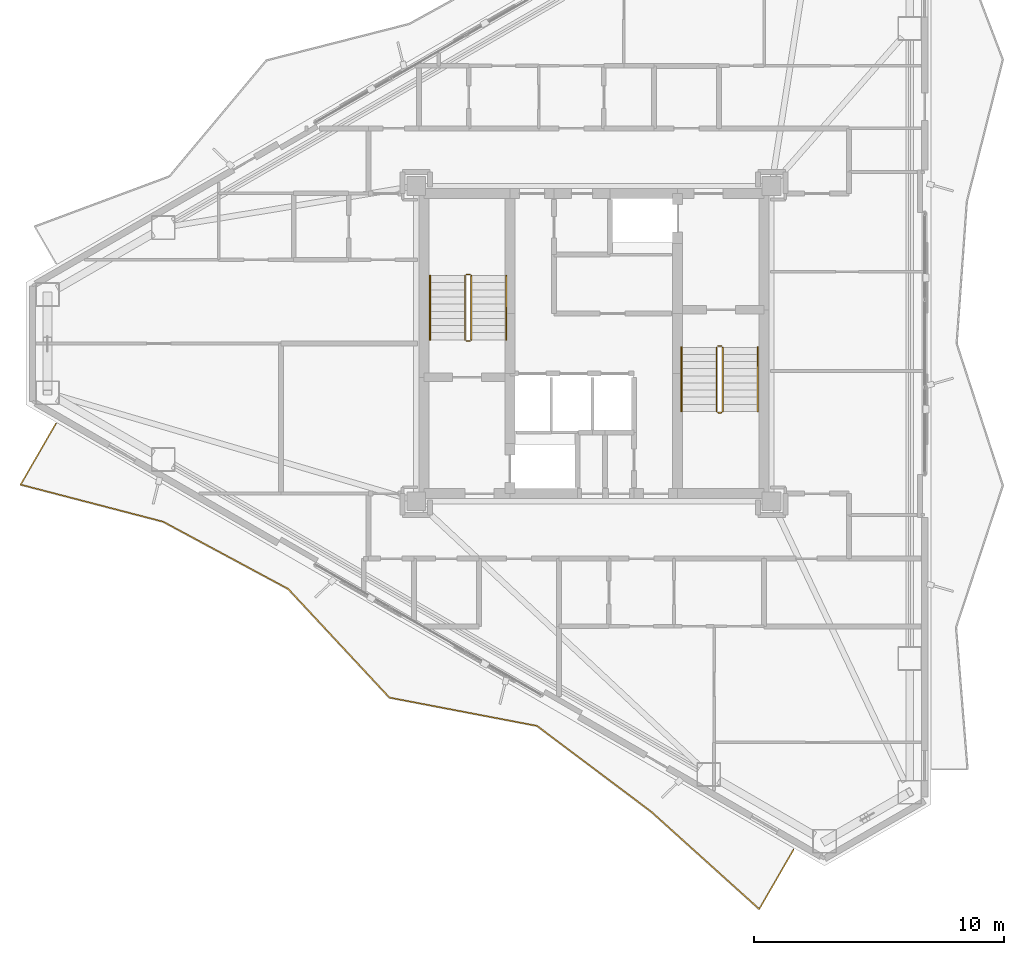
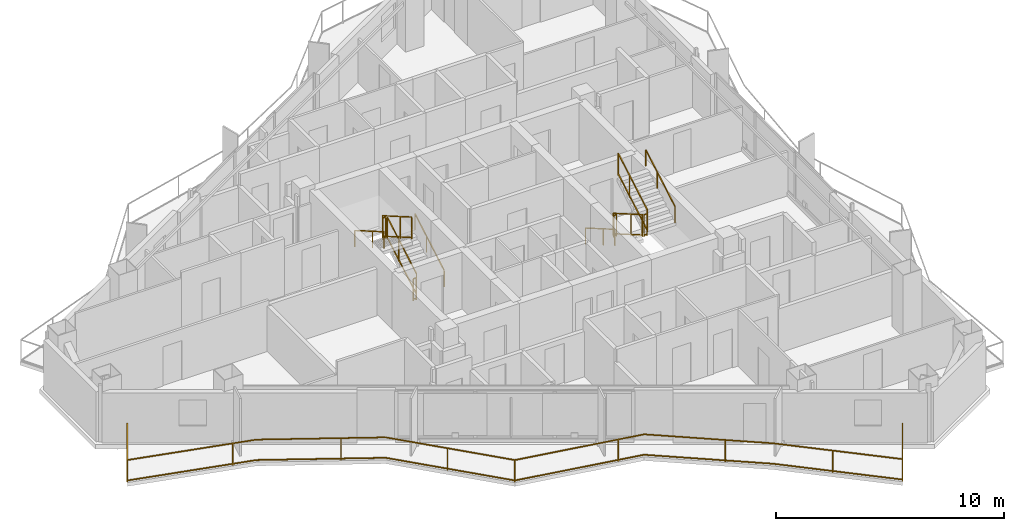
# One storey, part 18 of 19: 13 railings.
"""IFC4 building model written with IfcOpenShell, lengths in metres."""

from ifc_helpers import new_model, si_unit, direction, frame, origin, origin_2d, place, context, subcontext, project, spatial, rectangle, extrude, material, type_object, element, save


model = new_model("IFC4")

# Units and contexts
model_context = context("Model", 3, precision=1e-05, world=origin(), true_north=direction((0.0, 1.0)))
body_context = subcontext(model_context, "Body", "Model", "MODEL_VIEW")
ifc_project = project(units=[si_unit("LENGTHUNIT", "METRE"), si_unit("AREAUNIT", "SQUARE_METRE"), si_unit("VOLUMEUNIT", "CUBIC_METRE"), si_unit("PLANEANGLEUNIT", "RADIAN"), si_unit("MASSUNIT", "GRAM", prefix="KILO")], contexts=[model_context])

# Site, building, storey
site_placement = place(None, origin())
site = spatial("IfcSite", under=ifc_project, at=site_placement, CompositionType="ELEMENT")
building_placement = place(site_placement, origin())
building = spatial("IfcBuilding", under=site, at=building_placement, Name="Mersakhor Tower and Convention Hall", CompositionType="ELEMENT")
storey_placement = place(building_placement, frame((0.0, 0.0, 131.10009765625)))
storey = spatial("IfcBuildingStorey", under=building, at=storey_placement, Name="L36", CompositionType="ELEMENT", Elevation=131.10009765625)

# Railings
ifc_material_1 = material(Name="Powder-coated galvanised steel and laminated glass balustrade", Category="steel")
railing_type_1 = type_object("IfcRailingType", Name="RL-BAL-1200", PredefinedType="BALUSTRADE", material=ifc_material_1)
railing_1_placement = place(storey_placement, frame((7.497802734375, 23.5537109375, 0.0)))
element("IfcRailing", 1, at=railing_1_placement, inside=storey, type_object=railing_type_1, Name="L36 Sinusoidal Balcony Balustrade F3", PredefinedType="BALUSTRADE", context=body_context, shape_type="SweptSolid", body=[
    extrude(rectangle(XDim=0.048095703125, YDim=0.048095703125, at=origin_2d()), frame((0.0, 0.0, 1.17578125), z_axis=(-0.500049687543, -0.865996714767, 0.0), x_axis=(0.865996714767, -0.500049687543, 0.0)), (0.0, 0.0, 1.0), 2.820068359375),
    extrude(rectangle(XDim=0.048095703125, YDim=0.048095703125, at=origin_2d()), frame((0.0, 0.0, 0.080078125), z_axis=(-0.500049687543, -0.865996714767, 0.0), x_axis=(0.865996714767, -0.500049687543, 0.0)), (0.0, 0.0, 1.0), 2.820068359375),
    extrude(rectangle(XDim=0.048095703125, YDim=0.048095703125, at=origin_2d()), frame((-1.41015625, -2.442138671875, 1.17578125), z_axis=(0.967826142807, -0.251619866661, 0.0), x_axis=(0.251619866661, 0.967826142807, 0.0)), (0.0, 0.0, 1.0), 5.88671875),
    extrude(rectangle(XDim=0.048095703125, YDim=0.048095703125, at=origin_2d()), frame((-1.41015625, -2.442138671875, 0.080078125), z_axis=(0.967826142807, -0.251619866661, 0.0), x_axis=(0.251619866661, 0.967826142807, 0.0)), (0.0, 0.0, 1.0), 5.88671875),
    extrude(rectangle(XDim=0.048095703125, YDim=0.048095703125, at=origin_2d()), frame((4.287109375, -3.92333984375, 1.17578125), z_axis=(0.880780231077, -0.473525273394, 0.0), x_axis=(0.473525273394, 0.880780231077, 0.0)), (0.0, 0.0, 1.0), 5.677001953125),
    extrude(rectangle(XDim=0.048095703125, YDim=0.048095703125, at=origin_2d()), frame((4.287109375, -3.92333984375, 0.080078125), z_axis=(0.880780231077, -0.473525273394, 0.0), x_axis=(0.473525273394, 0.880780231077, 0.0)), (0.0, 0.0, 1.0), 5.677001953125),
    extrude(rectangle(XDim=0.048095703125, YDim=0.048095703125, at=origin_2d()), frame((9.287353515625, -6.611572265625, 1.17578125), z_axis=(0.681630508805, -0.731696555592, 0.0), x_axis=(0.731696555592, 0.681630508805, 0.0)), (0.0, 0.0, 1.0), 5.9345703125),
    extrude(rectangle(XDim=0.048095703125, YDim=0.048095703125, at=origin_2d()), frame((9.287353515625, -6.611572265625, 0.080078125), z_axis=(0.681630508805, -0.731696555592, 0.0), x_axis=(0.731696555592, 0.681630508805, 0.0)), (0.0, 0.0, 1.0), 5.9345703125),
    extrude(rectangle(XDim=0.048095703125, YDim=0.048095703125, at=origin_2d()), frame((13.33251953125, -10.953857421875, 1.17578125), z_axis=(0.982118753719, -0.188262459329, 0.0), x_axis=(0.188262459329, 0.982118753719, 0.0)), (0.0, 0.0, 1.0), 6.0068359375),
    extrude(rectangle(XDim=0.048095703125, YDim=0.048095703125, at=origin_2d()), frame((13.33251953125, -10.953857421875, 0.080078125), z_axis=(0.982118753719, -0.188262459329, 0.0), x_axis=(0.188262459329, 0.982118753719, 0.0)), (0.0, 0.0, 1.0), 6.0068359375),
    extrude(rectangle(XDim=0.048095703125, YDim=0.048095703125, at=origin_2d()), frame((19.23193359375, -12.084716796875, 1.17578125), z_axis=(0.799476905568, -0.600696826579, 0.0), x_axis=(0.600696826579, 0.799476905568, 0.0)), (0.0, 0.0, 1.0), 5.716064453125),
    extrude(rectangle(XDim=0.048095703125, YDim=0.048095703125, at=origin_2d()), frame((19.23193359375, -12.084716796875, 0.080078125), z_axis=(0.799476905568, -0.600696826579, 0.0), x_axis=(0.600696826579, 0.799476905568, 0.0)), (0.0, 0.0, 1.0), 5.716064453125),
    extrude(rectangle(XDim=0.048095703125, YDim=0.048095703125, at=origin_2d()), frame((23.8017578125, -15.518310546875, 1.17578125), z_axis=(0.742766657644, -0.669550365762, 0.0), x_axis=(0.669550365762, 0.742766657644, 0.0)), (0.0, 0.0, 1.0), 5.802001953125),
    extrude(rectangle(XDim=0.048095703125, YDim=0.048095703125, at=origin_2d()), frame((23.8017578125, -15.518310546875, 0.080078125), z_axis=(0.742766657644, -0.669550365762, 0.0), x_axis=(0.669550365762, 0.742766657644, 0.0)), (0.0, 0.0, 1.0), 5.802001953125),
    extrude(rectangle(XDim=0.048095703125, YDim=0.048095703125, at=origin_2d()), frame((28.111328125, -19.403076171875, 1.17578125), z_axis=(0.499999305434, 0.866025804792, 0.0), x_axis=(-0.866025804792, 0.499999305434, 0.0)), (0.0, 0.0, 1.0), 2.748046875),
    extrude(rectangle(XDim=0.048095703125, YDim=0.048095703125, at=origin_2d()), frame((28.111328125, -19.403076171875, 0.080078125), z_axis=(0.499999305434, 0.866025804792, 0.0), x_axis=(-0.866025804792, 0.499999305434, 0.0)), (0.0, 0.0, 1.0), 2.748046875),
    extrude(rectangle(XDim=0.0419921875, YDim=0.0419921875, at=origin_2d()), origin(), (0.0, 0.0, 1.0), 1.15185546875),
    extrude(rectangle(XDim=0.0419921875, YDim=0.0419921875, at=origin_2d()), frame((-1.41015625, -2.442138671875, 0.0)), (0.0, 0.0, 1.0), 1.15185546875),
    extrude(rectangle(XDim=0.0419921875, YDim=0.0419921875, at=origin_2d()), frame((3.2353515625, -3.64990234375, 0.0)), (0.0, 0.0, 1.0), 1.15185546875),
    extrude(rectangle(XDim=0.0419921875, YDim=0.0419921875, at=origin_2d()), frame((7.557861328125, -5.681640625, 0.0)), (0.0, 0.0, 1.0), 1.15185546875),
    extrude(rectangle(XDim=0.0419921875, YDim=0.0419921875, at=origin_2d()), frame((11.220703125, -8.686767578125, 0.0)), (0.0, 0.0, 1.0), 1.15185546875),
    extrude(rectangle(XDim=0.0419921875, YDim=0.0419921875, at=origin_2d()), frame((13.33251953125, -10.953857421875, 0.0)), (0.0, 0.0, 1.0), 1.15185546875),
    extrude(rectangle(XDim=0.0419921875, YDim=0.0419921875, at=origin_2d()), frame((18.046630859375, -11.857421875, 0.0)), (0.0, 0.0, 1.0), 1.15185546875),
    extrude(rectangle(XDim=0.0419921875, YDim=0.0419921875, at=origin_2d()), frame((22.1044921875, -14.2431640625, 0.0)), (0.0, 0.0, 1.0), 1.15185546875),
    extrude(rectangle(XDim=0.0419921875, YDim=0.0419921875, at=origin_2d()), frame((25.790283203125, -17.310791015625, 0.0)), (0.0, 0.0, 1.0), 1.15185546875),
    extrude(rectangle(XDim=0.0419921875, YDim=0.0419921875, at=origin_2d()), frame((28.111328125, -19.403076171875, 0.0)), (0.0, 0.0, 1.0), 1.15185546875),
    extrude(rectangle(XDim=0.0419921875, YDim=0.0419921875, at=origin_2d()), frame((29.4853515625, -17.023193359375, 0.0)), (0.0, 0.0, 1.0), 1.15185546875),
])
ifc_material_2 = material(Name="Brushed stainless steel handrail", Category="steel")
railing_type_2 = type_object("IfcRailingType", Name="RL-HR-900", PredefinedType="HANDRAIL", material=ifc_material_2)
railing_2_placement = place(storey_placement, frame((25.5, 26.89990234375, 0.164794921875)))
element("IfcRailing", 2, at=railing_2_placement, inside=storey, type_object=railing_type_2, Name="L36 ST-1 stair handrail 1", PredefinedType="HANDRAIL", context=body_context, shape_type="SweptSolid", body=[
    extrude(rectangle(XDim=0.048095703125, YDim=0.048095703125, at=origin_2d()), frame((0.0, 0.0, 0.8759765625), z_axis=(0.0, 0.865426285481, 0.501036270542), x_axis=(-1.0, 0.0, 0.0)), (0.0, 0.0, 1.0), 2.964111328125),
    extrude(rectangle(XDim=0.0419921875, YDim=0.0419921875, at=origin_2d()), origin(), (0.0, 0.0, 1.0), 0.851806640625),
    extrude(rectangle(XDim=0.0419921875, YDim=0.0419921875, at=origin_2d()), frame((0.0, 1.557861328125, 0.90185546875)), (0.0, 0.0, 1.0), 0.851806640625),
    extrude(rectangle(XDim=0.0419921875, YDim=0.0419921875, at=origin_2d()), frame((0.0, 2.565185546875, 1.485107421875)), (0.0, 0.0, 1.0), 0.851806640625),
])
railing_3_placement = place(storey_placement, frame((22.449951171875, 29.465087890625, 1.81494140625)))
element("IfcRailing", 3, at=railing_3_placement, inside=storey, type_object=railing_type_2, Name="L36 ST-1 stair handrail 2", PredefinedType="HANDRAIL", context=body_context, shape_type="SweptSolid", body=[
    extrude(rectangle(XDim=0.048095703125, YDim=0.048095703125, at=origin_2d()), frame((0.0, 0.0, 0.8759765625), z_axis=(0.0, -0.865461999751, 0.500974577186), x_axis=(1.0, 0.0, 0.0)), (0.0, 0.0, 1.0), 2.9638671875),
    extrude(rectangle(XDim=0.0419921875, YDim=0.0419921875, at=origin_2d()), origin(), (0.0, 0.0, 1.0), 0.851806640625),
    extrude(rectangle(XDim=0.0419921875, YDim=0.0419921875, at=origin_2d()), frame((0.0, -1.557861328125, 0.90185546875)), (0.0, 0.0, 1.0), 0.851806640625),
    extrude(rectangle(XDim=0.0419921875, YDim=0.0419921875, at=origin_2d()), frame((0.0, -2.565185546875, 1.48486328125)), (0.0, 0.0, 1.0), 0.851806640625),
])
railing_4_placement = place(storey_placement, frame((32.5, 26.60009765625, 0.164794921875)))
element("IfcRailing", 4, at=railing_4_placement, inside=storey, type_object=railing_type_2, Name="L36 ST-2 stair handrail 1", PredefinedType="HANDRAIL", context=body_context, shape_type="SweptSolid", body=[
    extrude(rectangle(XDim=0.048095703125, YDim=0.048095703125, at=origin_2d()), frame((0.0, 0.0, 0.8759765625), z_axis=(0.0, -0.865426285481, 0.501036270542), x_axis=(1.0, 0.0, 0.0)), (0.0, 0.0, 1.0), 2.964111328125),
    extrude(rectangle(XDim=0.0419921875, YDim=0.0419921875, at=origin_2d()), origin(), (0.0, 0.0, 1.0), 0.851806640625),
    extrude(rectangle(XDim=0.0419921875, YDim=0.0419921875, at=origin_2d()), frame((0.0, -1.557861328125, 0.90185546875)), (0.0, 0.0, 1.0), 0.851806640625),
    extrude(rectangle(XDim=0.0419921875, YDim=0.0419921875, at=origin_2d()), frame((0.0, -2.565185546875, 1.485107421875)), (0.0, 0.0, 1.0), 0.851806640625),
])
railing_5_placement = place(storey_placement, frame((35.550048828125, 24.034912109375, 1.81494140625)))
element("IfcRailing", 5, at=railing_5_placement, inside=storey, type_object=railing_type_2, Name="L36 ST-2 stair handrail 2", PredefinedType="HANDRAIL", context=body_context, shape_type="SweptSolid", body=[
    extrude(rectangle(XDim=0.048095703125, YDim=0.048095703125, at=origin_2d()), frame((0.0, 0.0, 0.8759765625), z_axis=(0.0, 0.865461999751, 0.500974577186), x_axis=(-1.0, 0.0, 0.0)), (0.0, 0.0, 1.0), 2.9638671875),
    extrude(rectangle(XDim=0.0419921875, YDim=0.0419921875, at=origin_2d()), origin(), (0.0, 0.0, 1.0), 0.851806640625),
    extrude(rectangle(XDim=0.0419921875, YDim=0.0419921875, at=origin_2d()), frame((0.0, 1.557861328125, 0.90185546875)), (0.0, 0.0, 1.0), 0.851806640625),
    extrude(rectangle(XDim=0.0419921875, YDim=0.0419921875, at=origin_2d()), frame((0.0, 2.565185546875, 1.48486328125)), (0.0, 0.0, 1.0), 0.851806640625),
])
ifc_material_3 = material(Name="Painted steel stair balustrade S355", Category="steel")
railing_type_3 = type_object("IfcRailingType", Name="RL-STG-1200", PredefinedType="BALUSTRADE", material=ifc_material_3)
railing_6_placement = place(storey_placement, frame((24.10009765625, 26.89990234375, 0.164794921875)))
element("IfcRailing", 6, at=railing_6_placement, inside=storey, type_object=railing_type_3, Name="L36 ST-1 stair guard 1", PredefinedType="BALUSTRADE", context=body_context, shape_type="SweptSolid", body=[
    extrude(rectangle(XDim=0.048095703125, YDim=0.048095703125, at=origin_2d()), frame((0.0, 0.0, 1.17578125), z_axis=(0.0, 0.865426285481, 0.501036270542), x_axis=(-1.0, 0.0, 0.0)), (0.0, 0.0, 1.0), 2.964111328125),
    extrude(rectangle(XDim=0.048095703125, YDim=0.048095703125, at=origin_2d()), frame((0.0, 0.0, 0.080078125), z_axis=(0.0, 0.865426285481, 0.501036270542), x_axis=(-1.0, 0.0, 0.0)), (0.0, 0.0, 1.0), 2.964111328125),
    extrude(rectangle(XDim=0.0419921875, YDim=0.0419921875, at=origin_2d()), origin(), (0.0, 0.0, 1.0), 1.15185546875),
    extrude(rectangle(XDim=0.0419921875, YDim=0.0419921875, at=origin_2d()), frame((0.0, 1.557861328125, 0.90185546875)), (0.0, 0.0, 1.0), 1.15185546875),
    extrude(rectangle(XDim=0.0419921875, YDim=0.0419921875, at=origin_2d()), frame((0.0, 2.565185546875, 1.485107421875)), (0.0, 0.0, 1.0), 1.15185546875),
])
railing_7_placement = place(storey_placement, frame((24.050048828125, 29.514892578125, 1.64990234375)))
element("IfcRailing", 7, at=railing_7_placement, inside=storey, type_object=railing_type_3, Name="L36 ST-1 stair guard 2", PredefinedType="BALUSTRADE", context=body_context, shape_type="SweptSolid", body=[
    extrude(rectangle(XDim=0.048095703125, YDim=0.048095703125, at=origin_2d()), frame((0.0, 0.0, 1.17578125), z_axis=(-1.0, 0.0, 0.0), x_axis=(0.0, -1.0, 0.0)), (0.0, 0.0, 1.0), 0.150146484375),
    extrude(rectangle(XDim=0.048095703125, YDim=0.048095703125, at=origin_2d()), frame((0.0, 0.0, 0.080078125), z_axis=(-1.0, 0.0, 0.0), x_axis=(0.0, -1.0, 0.0)), (0.0, 0.0, 1.0), 0.150146484375),
    extrude(rectangle(XDim=0.0419921875, YDim=0.0419921875, at=origin_2d()), origin(), (0.0, 0.0, 1.0), 1.15185546875),
    extrude(rectangle(XDim=0.0419921875, YDim=0.0419921875, at=origin_2d()), frame((-0.150146484375, 0.0, 0.0)), (0.0, 0.0, 1.0), 1.15185546875),
])
railing_8_placement = place(storey_placement, frame((23.85009765625, 29.465087890625, 1.81494140625)))
element("IfcRailing", 8, at=railing_8_placement, inside=storey, type_object=railing_type_3, Name="L36 ST-1 stair guard 3", PredefinedType="BALUSTRADE", context=body_context, shape_type="SweptSolid", body=[
    extrude(rectangle(XDim=0.048095703125, YDim=0.048095703125, at=origin_2d()), frame((0.0, 0.0, 1.17578125), z_axis=(0.0, -0.865461999751, 0.500974577186), x_axis=(1.0, 0.0, 0.0)), (0.0, 0.0, 1.0), 2.9638671875),
    extrude(rectangle(XDim=0.048095703125, YDim=0.048095703125, at=origin_2d()), frame((0.0, 0.0, 0.080078125), z_axis=(0.0, -0.865461999751, 0.500974577186), x_axis=(1.0, 0.0, 0.0)), (0.0, 0.0, 1.0), 2.9638671875),
    extrude(rectangle(XDim=0.0419921875, YDim=0.0419921875, at=origin_2d()), origin(), (0.0, 0.0, 1.0), 1.15185546875),
    extrude(rectangle(XDim=0.0419921875, YDim=0.0419921875, at=origin_2d()), frame((0.0, -1.557861328125, 0.90185546875)), (0.0, 0.0, 1.0), 1.15185546875),
    extrude(rectangle(XDim=0.0419921875, YDim=0.0419921875, at=origin_2d()), frame((0.0, -2.565185546875, 1.48486328125)), (0.0, 0.0, 1.0), 1.15185546875),
])
railing_9_placement = place(storey_placement, frame((24.050048828125, 26.85009765625, 0.0)))
element("IfcRailing", 9, at=railing_9_placement, inside=storey, type_object=railing_type_3, Name="L36 ST-1 stair guard 4", PredefinedType="BALUSTRADE", context=body_context, shape_type="SweptSolid", body=[
    extrude(rectangle(XDim=0.048095703125, YDim=0.048095703125, at=origin_2d()), frame((0.0, 0.0, 1.17578125), z_axis=(-1.0, 0.0, 0.0), x_axis=(0.0, -1.0, 0.0)), (0.0, 0.0, 1.0), 0.150146484375),
    extrude(rectangle(XDim=0.048095703125, YDim=0.048095703125, at=origin_2d()), frame((0.0, 0.0, 0.080078125), z_axis=(-1.0, 0.0, 0.0), x_axis=(0.0, -1.0, 0.0)), (0.0, 0.0, 1.0), 0.150146484375),
    extrude(rectangle(XDim=0.0419921875, YDim=0.0419921875, at=origin_2d()), origin(), (0.0, 0.0, 1.0), 1.15185546875),
    extrude(rectangle(XDim=0.0419921875, YDim=0.0419921875, at=origin_2d()), frame((-0.150146484375, 0.0, 0.0)), (0.0, 0.0, 1.0), 1.15185546875),
])
railing_10_placement = place(storey_placement, frame((33.89990234375, 26.60009765625, 0.164794921875)))
element("IfcRailing", 10, at=railing_10_placement, inside=storey, type_object=railing_type_3, Name="L36 ST-2 stair guard 1", PredefinedType="BALUSTRADE", context=body_context, shape_type="SweptSolid", body=[
    extrude(rectangle(XDim=0.048095703125, YDim=0.048095703125, at=origin_2d()), frame((0.0, 0.0, 1.17578125), z_axis=(0.0, -0.865426285481, 0.501036270542), x_axis=(1.0, 0.0, 0.0)), (0.0, 0.0, 1.0), 2.964111328125),
    extrude(rectangle(XDim=0.048095703125, YDim=0.048095703125, at=origin_2d()), frame((0.0, 0.0, 0.080078125), z_axis=(0.0, -0.865426285481, 0.501036270542), x_axis=(1.0, 0.0, 0.0)), (0.0, 0.0, 1.0), 2.964111328125),
    extrude(rectangle(XDim=0.0419921875, YDim=0.0419921875, at=origin_2d()), origin(), (0.0, 0.0, 1.0), 1.15185546875),
    extrude(rectangle(XDim=0.0419921875, YDim=0.0419921875, at=origin_2d()), frame((0.0, -1.557861328125, 0.90185546875)), (0.0, 0.0, 1.0), 1.15185546875),
    extrude(rectangle(XDim=0.0419921875, YDim=0.0419921875, at=origin_2d()), frame((0.0, -2.565185546875, 1.485107421875)), (0.0, 0.0, 1.0), 1.15185546875),
])
railing_11_placement = place(storey_placement, frame((33.949951171875, 23.985107421875, 1.64990234375)))
element("IfcRailing", 11, at=railing_11_placement, inside=storey, type_object=railing_type_3, Name="L36 ST-2 stair guard 2", PredefinedType="BALUSTRADE", context=body_context, shape_type="SweptSolid", body=[
    extrude(rectangle(XDim=0.048095703125, YDim=0.048095703125, at=origin_2d()), frame((0.0, 0.0, 1.17578125), z_axis=(1.0, 0.0, 0.0), x_axis=(0.0, 1.0, 0.0)), (0.0, 0.0, 1.0), 0.150146484375),
    extrude(rectangle(XDim=0.048095703125, YDim=0.048095703125, at=origin_2d()), frame((0.0, 0.0, 0.080078125), z_axis=(1.0, 0.0, 0.0), x_axis=(0.0, 1.0, 0.0)), (0.0, 0.0, 1.0), 0.150146484375),
    extrude(rectangle(XDim=0.0419921875, YDim=0.0419921875, at=origin_2d()), origin(), (0.0, 0.0, 1.0), 1.15185546875),
    extrude(rectangle(XDim=0.0419921875, YDim=0.0419921875, at=origin_2d()), frame((0.150146484375, 0.0, 0.0)), (0.0, 0.0, 1.0), 1.15185546875),
])
railing_12_placement = place(storey_placement, frame((34.14990234375, 24.034912109375, 1.81494140625)))
element("IfcRailing", 12, at=railing_12_placement, inside=storey, type_object=railing_type_3, Name="L36 ST-2 stair guard 3", PredefinedType="BALUSTRADE", context=body_context, shape_type="SweptSolid", body=[
    extrude(rectangle(XDim=0.048095703125, YDim=0.048095703125, at=origin_2d()), frame((0.0, 0.0, 1.17578125), z_axis=(0.0, 0.865461999751, 0.500974577186), x_axis=(-1.0, 0.0, 0.0)), (0.0, 0.0, 1.0), 2.9638671875),
    extrude(rectangle(XDim=0.048095703125, YDim=0.048095703125, at=origin_2d()), frame((0.0, 0.0, 0.080078125), z_axis=(0.0, 0.865461999751, 0.500974577186), x_axis=(-1.0, 0.0, 0.0)), (0.0, 0.0, 1.0), 2.9638671875),
    extrude(rectangle(XDim=0.0419921875, YDim=0.0419921875, at=origin_2d()), origin(), (0.0, 0.0, 1.0), 1.15185546875),
    extrude(rectangle(XDim=0.0419921875, YDim=0.0419921875, at=origin_2d()), frame((0.0, 1.557861328125, 0.90185546875)), (0.0, 0.0, 1.0), 1.15185546875),
    extrude(rectangle(XDim=0.0419921875, YDim=0.0419921875, at=origin_2d()), frame((0.0, 2.565185546875, 1.48486328125)), (0.0, 0.0, 1.0), 1.15185546875),
])
railing_13_placement = place(storey_placement, frame((33.949951171875, 26.64990234375, 0.0)))
element("IfcRailing", 13, at=railing_13_placement, inside=storey, type_object=railing_type_3, Name="L36 ST-2 stair guard 4", PredefinedType="BALUSTRADE", context=body_context, shape_type="SweptSolid", body=[
    extrude(rectangle(XDim=0.048095703125, YDim=0.048095703125, at=origin_2d()), frame((0.0, 0.0, 1.17578125), z_axis=(1.0, 0.0, 0.0), x_axis=(0.0, 1.0, 0.0)), (0.0, 0.0, 1.0), 0.150146484375),
    extrude(rectangle(XDim=0.048095703125, YDim=0.048095703125, at=origin_2d()), frame((0.0, 0.0, 0.080078125), z_axis=(1.0, 0.0, 0.0), x_axis=(0.0, 1.0, 0.0)), (0.0, 0.0, 1.0), 0.150146484375),
    extrude(rectangle(XDim=0.0419921875, YDim=0.0419921875, at=origin_2d()), origin(), (0.0, 0.0, 1.0), 1.15185546875),
    extrude(rectangle(XDim=0.0419921875, YDim=0.0419921875, at=origin_2d()), frame((0.150146484375, 0.0, 0.0)), (0.0, 0.0, 1.0), 1.15185546875),
])

save(model, "model.ifc")
